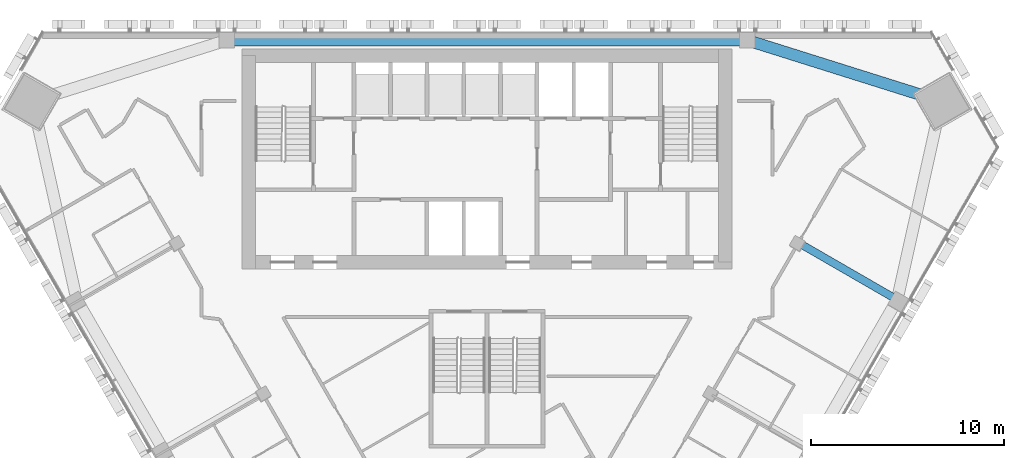
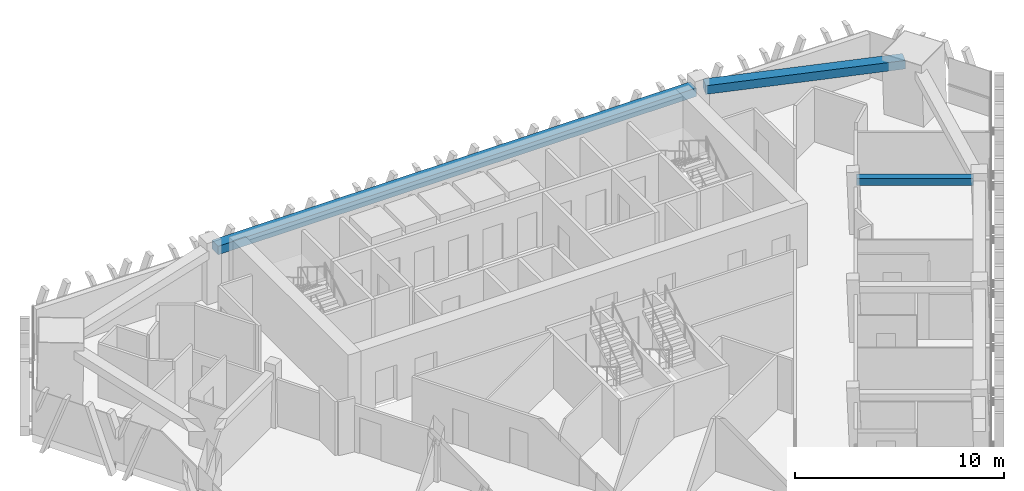
# One storey, part 6 of 15: 3 beams.
"""IFC4 building model written with IfcOpenShell, lengths in metres."""

import ifcopenshell
import ifcopenshell.guid

model = None  # the IFC model being written
_history = None  # IfcOwnerHistory: only IFC2X3 demands one
_inside = {}  # id of a spatial element -> (the spatial element, [elements in it])
_under = {}  # id of a project, library or spatial element -> (it, [spatial elements below it])
_declared = {}  # id of a project -> (the project, [libraries it declares])
_typed = {}  # id of a type object -> (the type object, [elements of that type])
_made_of = {}  # id of a material, layer set ... -> (it, [elements and type objects made of it])


def new_model(schema):
    """Start an empty IFC model of exactly this schema.

    Asked for "IFC4X3", IfcOpenShell would pick the latest addendum, in which some entities
    have other attributes; the version numbers below select the first issue.
    IFC2X3 requires an IfcOwnerHistory on every rooted entity: one is made here for all.
    """
    global model, _history
    if schema == "IFC4X3":
        model = ifcopenshell.file(schema_version=(4, 3, 0, 0))
    else:
        model = ifcopenshell.file(schema=schema)
    _inside.clear()
    _under.clear()
    _declared.clear()
    _typed.clear()
    _made_of.clear()
    _history = None
    if model.schema == "IFC2X3":
        org = make("IfcOrganization", Name="unknown")
        user = make(
            "IfcPersonAndOrganization",
            ThePerson=make("IfcPerson", FamilyName="unknown"),
            TheOrganization=org,
        )
        app = make(
            "IfcApplication",
            ApplicationDeveloper=org,
            Version="unknown",
            ApplicationFullName="unknown",
            ApplicationIdentifier="unknown",
        )
        _history = make(
            "IfcOwnerHistory",
            OwningUser=user,
            OwningApplication=app,
            ChangeAction="ADDED",
            CreationDate=0,
        )
    return model


def make(cls, **values):
    """One entity of the class cls with the attributes given. An attribute that is None is left unset."""
    return model.create_entity(
        cls, **{name: value for name, value in values.items() if value is not None}
    )


def rooted(cls, **values):
    """An entity with a GlobalId (a new one), such as an element, a storey or a relation."""
    return make(cls, GlobalId=ifcopenshell.guid.new(), OwnerHistory=_history, **values)


def si_unit(unit_type, name, prefix=None):
    """IfcSIUnit, for example si_unit("LENGTHUNIT", "METRE", prefix="MILLI")."""
    return make("IfcSIUnit", UnitType=unit_type, Prefix=prefix, Name=name)


def assignment(units):
    """IfcUnitAssignment: the units of a project."""
    return None if units is None else make("IfcUnitAssignment", Units=units)


def point(xyz):
    """IfcCartesianPoint."""
    return None if xyz is None else make("IfcCartesianPoint", Coordinates=xyz)


def direction(xyz):
    """IfcDirection."""
    return None if xyz is None else make("IfcDirection", DirectionRatios=xyz)


def frame(location, z_axis=None, x_axis=None):
    """IfcAxis2Placement3D, a coordinate frame: its origin and axes. An axis left out is left unset."""
    return make(
        "IfcAxis2Placement3D",
        Location=point(location),
        Axis=direction(z_axis),
        RefDirection=direction(x_axis),
    )


def frame_2d(location, x_axis=None):
    """IfcAxis2Placement2D, a coordinate frame in the plane: its origin and x axis."""
    return make(
        "IfcAxis2Placement2D", Location=point(location), RefDirection=direction(x_axis)
    )


def origin():
    """The frame at (0, 0, 0) with its axes left unset."""
    return frame((0.0, 0.0, 0.0))


def origin_2d():
    """The frame at (0, 0) in the plane with its x axis left unset."""
    return frame_2d((0.0, 0.0))


def place(relative_to, where):
    """IfcLocalPlacement: puts the frame where relative to a parent placement (None: the world)."""
    return make(
        "IfcLocalPlacement", PlacementRelTo=relative_to, RelativePlacement=where
    )


def context(
    kind, dimensions, precision=None, world=None, true_north=None, identifier=None
):
    """IfcGeometricRepresentationContext, for example the 3D "Model" context."""
    return make(
        "IfcGeometricRepresentationContext",
        ContextIdentifier=identifier,
        ContextType=kind,
        CoordinateSpaceDimension=dimensions,
        Precision=precision,
        WorldCoordinateSystem=world,
        TrueNorth=true_north,
    )


def subcontext(parent, identifier, kind, view, scale=None):
    """IfcGeometricRepresentationSubContext, for example "Body" below "Model"."""
    return make(
        "IfcGeometricRepresentationSubContext",
        ContextIdentifier=identifier,
        ContextType=kind,
        ParentContext=parent,
        TargetScale=scale,
        TargetView=view,
    )


def project(units=None, contexts=None):
    """IfcProject with its units and contexts."""
    return rooted(
        "IfcProject",
        Name="project",
        RepresentationContexts=contexts,
        UnitsInContext=assignment(units),
    )


def spatial(cls, under=None, at=None, **own):
    """A site, building, storey or space (cls), placed at a placement, below another one or the project."""
    s = rooted(cls, ObjectPlacement=at, **own)
    if under is not None:
        _under.setdefault(under.id(), (under, []))[1].append(s)
    return s


def profile(cls, at=None, kind="AREA", **sizes):
    """A parametric profile (cls). Its sizes go by their IFC names, for example OverallWidth=200.0."""
    return make(cls, ProfileType=kind, Position=at, **sizes)


def rectangle(**sizes):
    """IfcRectangleProfileDef."""
    return profile("IfcRectangleProfileDef", **sizes)


def extrude(swept, where, along, depth):
    """IfcExtrudedAreaSolid: the profile swept, set in the frame where, extruded along a direction by depth."""
    return make(
        "IfcExtrudedAreaSolid",
        SweptArea=swept,
        Position=where,
        ExtrudedDirection=direction(along),
        Depth=depth,
    )


def shape(context_of_items, identifier, shape_type, items):
    """IfcShapeRepresentation: the items that make up one representation, for example the "Body"."""
    return make(
        "IfcShapeRepresentation",
        ContextOfItems=context_of_items,
        RepresentationIdentifier=identifier,
        RepresentationType=shape_type,
        Items=items,
    )


def material(Name=None, Category=None):
    """IfcMaterial."""
    return make("IfcMaterial", Name=Name, Category=Category)


def material_profile(
    of_material, cross_section, Name=None, Category=None, Priority=None
):
    """IfcMaterialProfile: a cross section and its material."""
    return make(
        "IfcMaterialProfile",
        Name=Name,
        Material=of_material,
        Profile=cross_section,
        Priority=Priority,
        Category=Category,
    )


def profile_set(profiles, Name=None, composite=None):
    """IfcMaterialProfileSet."""
    return make(
        "IfcMaterialProfileSet",
        Name=Name,
        MaterialProfiles=profiles,
        CompositeProfile=composite,
    )


def made_of(thing, what):
    """Note that an element or type object is made of a material, layer set ...; save() writes the relation."""
    if what is not None:
        _made_of.setdefault(what.id(), (what, []))[1].append(thing)
    return thing


def type_object(cls, material=None, **own):
    """A type object (cls), such as IfcWallType, which elements share."""
    return made_of(rooted(cls, **own), material)


def element(
    cls,
    number,
    at=None,
    inside=None,
    cuts=None,
    type_object=None,
    material=None,
    context=None,
    identifier="Body",
    shape_type=None,
    held_by="IfcProductDefinitionShape",
    body=None,
    shapes=None,
    **own,
):
    """One element of the class cls, such as IfcWall. Its Tag is "e" and its number.

    at: its placement. inside: the storey or other place that contains it. cuts: it is an
    opening in that element (IfcRelVoidsElement). A single representation is given by context,
    identifier, shape_type and body (its items); several are given by shapes. held_by: the class
    of the entity that holds the representations. save() writes the other relations.
    """
    e = rooted(cls, Tag="e%d" % number, ObjectPlacement=at, **own)
    if body is not None:
        shapes = [shape(context, identifier, shape_type, body)]
    if shapes is not None:
        e.Representation = make(held_by, Representations=shapes)
    if inside is not None:
        _inside.setdefault(inside.id(), (inside, []))[1].append(e)
    if cuts is not None:
        rooted(
            "IfcRelVoidsElement", RelatingBuildingElement=cuts, RelatedOpeningElement=e
        )
    if type_object is not None:
        _typed.setdefault(type_object.id(), (type_object, []))[1].append(e)
    return made_of(e, material)


def aggregate(whole, parts):
    """IfcRelAggregates: a whole, such as a stair, and the parts it consists of."""
    return rooted("IfcRelAggregates", RelatingObject=whole, RelatedObjects=parts)


def save(model, path):
    """Write the relations noted so far, then the file.

    IfcRelAggregates (storeys below a building ...), IfcRelContainedInSpatialStructure (elements
    in a storey), IfcRelDefinesByType, IfcRelAssociatesMaterial and IfcRelDeclares: one each for
    every whole, place, type object, material and project.
    """
    for whole, parts in _under.values():
        aggregate(whole, parts)
    for where, things in _inside.values():
        rooted(
            "IfcRelContainedInSpatialStructure",
            RelatedElements=things,
            RelatingStructure=where,
        )
    for kind, things in _typed.values():
        rooted("IfcRelDefinesByType", RelatedObjects=things, RelatingType=kind)
    for what, things in _made_of.values():
        rooted("IfcRelAssociatesMaterial", RelatedObjects=things, RelatingMaterial=what)
    for by, libraries in _declared.values():
        rooted("IfcRelDeclares", RelatingContext=by, RelatedDefinitions=libraries)
    model.write(path)


model = new_model("IFC4")

# Units and contexts
model_context = context("Model", 3, precision=1e-05, world=origin(), true_north=direction((0.0, 1.0)))
body_context = subcontext(model_context, "Body", "Model", "MODEL_VIEW")
ifc_project = project(units=[si_unit("LENGTHUNIT", "METRE"), si_unit("AREAUNIT", "SQUARE_METRE"), si_unit("VOLUMEUNIT", "CUBIC_METRE"), si_unit("PLANEANGLEUNIT", "RADIAN"), si_unit("MASSUNIT", "GRAM", prefix="KILO")], contexts=[model_context])

# Site, building, storey
site_placement = place(None, origin())
site = spatial("IfcSite", under=ifc_project, at=site_placement, CompositionType="ELEMENT")
building_placement = place(site_placement, origin())
building = spatial("IfcBuilding", under=site, at=building_placement, Name="Altiplano Prism Tower", CompositionType="ELEMENT")
storey_placement = place(building_placement, frame((0.0, 0.0, 171.0)))
storey = spatial("IfcBuildingStorey", under=building, at=storey_placement, Name="L44", CompositionType="ELEMENT", Elevation=171.0)

# Beams
ifc_material = material(Name="Concrete C60/75", Category="concrete")
ifc_material_profile_1 = material_profile(ifc_material, rectangle(XDim=0.60009765625, YDim=0.5, at=origin_2d()), Name="Edge beam 600x500")
ifc_profile_set_1 = profile_set([ifc_material_profile_1], Name="Concrete C60/75")
beam_type_1 = type_object("IfcBeamType", Name="Edge beam 600x500", PredefinedType="SPANDREL", material=ifc_profile_set_1)
beam_1_placement = place(storey_placement, frame((108.125732421875, 101.521484375, 2.89990234375), z_axis=(-0.953898304605, 0.300130012613, 0.0), x_axis=(-0.300130012613, -0.953898304605, 0.0)))
element("IfcBeam", 1, at=beam_1_placement, inside=storey, type_object=beam_type_1, Name="Edge beam M2-P01 L45", PredefinedType="SPANDREL", context=body_context, shape_type="SweptSolid", body=[
    extrude(rectangle(XDim=0.60009765625, YDim=0.5, at=origin_2d()), origin(), (0.0, 0.0, 1.0), 9.79150390625),
])
beam_2_placement = place(storey_placement, frame((98.219970703125, 104.550048828125, 2.89990234375), z_axis=(-1.0, 0.0, 0.0), x_axis=(0.0, -1.0, 0.0)))
element("IfcBeam", 2, at=beam_2_placement, inside=storey, type_object=beam_type_1, Name="Edge beam P01-P04 L45", PredefinedType="SPANDREL", context=body_context, shape_type="SweptSolid", body=[
    extrude(rectangle(XDim=0.60009765625, YDim=0.5, at=origin_2d()), origin(), (0.0, 0.0, 1.0), 26.43994140625),
])
ifc_material_profile_2 = material_profile(ifc_material, rectangle(XDim=0.39990234375, YDim=0.39990234375, at=origin_2d()), Name="Tie beam 400x400")
ifc_profile_set_2 = profile_set([ifc_material_profile_2], Name="Concrete C60/75")
beam_type_2 = type_object("IfcBeamType", Name="Tie beam 400x400", PredefinedType="BEAM", material=ifc_profile_set_2)
beam_3_placement = place(storey_placement, frame((101.18359375, 94.03173828125, 2.949951171875), z_axis=(0.866030670444, -0.499990877767, 0.0), x_axis=(0.499990877767, 0.866030670444, 0.0)))
element("IfcBeam", 3, at=beam_3_placement, inside=storey, type_object=beam_type_2, Name="Tie beam I24 L45", PredefinedType="BEAM", context=body_context, shape_type="SweptSolid", body=[
    extrude(rectangle(XDim=0.39990234375, YDim=0.39990234375, at=origin_2d()), origin(), (0.0, 0.0, 1.0), 5.58984375),
])

save(model, "model.ifc")
